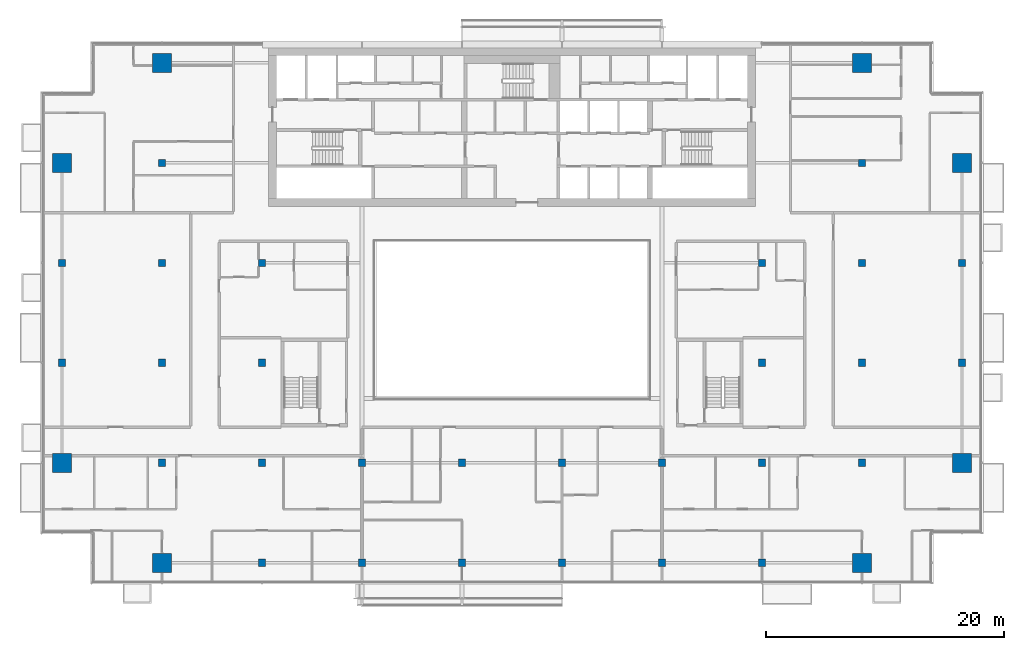
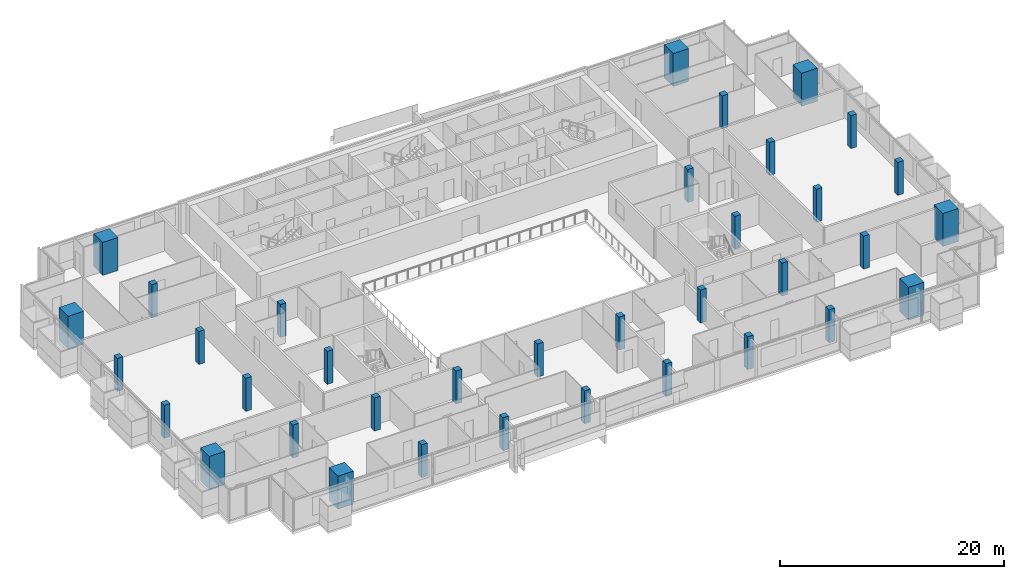
# One storey, part 1 of 27: 36 columns.
"""IFC4 building model written with IfcOpenShell, lengths in metres."""

from ifc_helpers import new_model, si_unit, direction, frame, origin, origin_2d, place, context, subcontext, project, spatial, rectangle, extrude, material, material_profile, profile_set, type_object, element, save


model = new_model("IFC4")

# Units and contexts
model_context = context("Model", 3, precision=1e-05, world=origin(), true_north=direction((0.0, 1.0)))
body_context = subcontext(model_context, "Body", "Model", "MODEL_VIEW")
ifc_project = project(units=[si_unit("LENGTHUNIT", "METRE"), si_unit("AREAUNIT", "SQUARE_METRE"), si_unit("VOLUMEUNIT", "CUBIC_METRE"), si_unit("PLANEANGLEUNIT", "RADIAN"), si_unit("MASSUNIT", "GRAM", prefix="KILO")], contexts=[model_context])

# Site, building, storey
site_placement = place(None, origin())
site = spatial("IfcSite", under=ifc_project, at=site_placement, CompositionType="ELEMENT")
building_placement = place(site_placement, origin())
building = spatial("IfcBuilding", under=site, at=building_placement, Name="Saffron Gate Tower", CompositionType="ELEMENT")
storey_placement = place(building_placement, frame((0.0, 0.0, 209.10009765625)))
storey = spatial("IfcBuildingStorey", under=building, at=storey_placement, Name="L50", CompositionType="ELEMENT", Elevation=209.10009765625)

# Columns
ifc_material_1 = material(Name="Concrete C50", Category="concrete")
ifc_material_profile_1 = material_profile(ifc_material_1, rectangle(XDim=0.60009765625, YDim=0.60009765625, at=origin_2d()))
ifc_profile_set_1 = profile_set([ifc_material_profile_1], Name="Concrete C50")
column_type_1 = type_object("IfcColumnType", Name="C2 RC 600x600 CONCRETE C50", PredefinedType="COLUMN", material=ifc_profile_set_1)
for number, where, z_axis, x_axis, name in (
    (1, (49.800048828125, 48.60009765625, 0.0), (0.0, 0.0, 1.0), (1.0, 0.0, 0.0), "C2 COLUMN X1-C"),
    (2, (49.800048828125, 57.0, 0.0), (0.0, 0.0, 1.0), (1.0, 0.0, 0.0), "C2 COLUMN X1-D"),
    (3, (58.199951171875, 40.199951171875, 0.0), (0.0, 0.0, 1.0), (1.0, 0.0, 0.0), "C2 COLUMN X2-B"),
    (4, (58.199951171875, 48.60009765625, 0.0), (0.0, 0.0, 1.0), (1.0, 0.0, 0.0), "C2 COLUMN X2-C"),
    (5, (58.199951171875, 57.0, 0.0), (0.0, 0.0, 1.0), (1.0, 0.0, 0.0), "C2 COLUMN X2-D"),
    (6, (58.199951171875, 65.39990234375, 0.0), (0.0, 0.0, 1.0), (1.0, 0.0, 0.0), "C2 COLUMN X2-E"),
    (7, (66.60009765625, 31.800048828125, 0.0), (0.0, 0.0, 1.0), (1.0, 0.0, 0.0), "C2 COLUMN X3-A"),
    (8, (66.60009765625, 40.199951171875, 0.0), (0.0, 0.0, 1.0), (1.0, 0.0, 0.0), "C2 COLUMN X3-B"),
    (9, (66.60009765625, 48.60009765625, 0.0), (0.0, 0.0, 1.0), (1.0, 0.0, 0.0), "C2 COLUMN X3-C"),
    (10, (66.60009765625, 57.0, 0.0), (0.0, 0.0, 1.0), (1.0, 0.0, 0.0), "C2 COLUMN X3-D"),
    (11, (75.0, 31.800048828125, 0.0), (0.0, 0.0, 1.0), (1.0, 0.0, 0.0), "C2 COLUMN X4-A"),
    (12, (75.0, 40.199951171875, 0.0), (0.0, 0.0, 1.0), (1.0, 0.0, 0.0), "C2 COLUMN X4-B"),
    (13, (83.39990234375, 31.800048828125, 0.0), (0.0, 0.0, 1.0), (1.0, 0.0, 0.0), "C2 COLUMN X5-A"),
    (14, (83.39990234375, 40.199951171875, 0.0), (0.0, 0.0, 1.0), (1.0, 0.0, 0.0), "C2 COLUMN X5-B"),
    (15, (91.800048828125, 31.800048828125, 0.0), (0.0, 0.0, 1.0), (1.0, 0.0, 0.0), "C2 COLUMN X6-A"),
    (16, (91.800048828125, 40.199951171875, 0.0), (0.0, 0.0, 1.0), (1.0, 0.0, 0.0), "C2 COLUMN X6-B"),
    (17, (100.199951171875, 31.800048828125, 0.0), (0.0, 0.0, 1.0), (1.0, 0.0, 0.0), "C2 COLUMN X7-A"),
    (18, (100.199951171875, 40.199951171875, 0.0), (0.0, 0.0, 1.0), (1.0, 0.0, 0.0), "C2 COLUMN X7-B"),
    (19, (108.60009765625, 31.800048828125, 0.0), (0.0, 0.0, 1.0), (1.0, 0.0, 0.0), "C2 COLUMN X8-A"),
    (20, (108.60009765625, 40.199951171875, 0.0), (0.0, 0.0, 1.0), (1.0, 0.0, 0.0), "C2 COLUMN X8-B"),
    (21, (108.60009765625, 48.60009765625, 0.0), (0.0, 0.0, 1.0), (1.0, 0.0, 0.0), "C2 COLUMN X8-C"),
    (22, (108.60009765625, 57.0, 0.0), (0.0, 0.0, 1.0), (1.0, 0.0, 0.0), "C2 COLUMN X8-D"),
    (23, (117.0, 40.199951171875, 0.0), (0.0, 0.0, 1.0), (1.0, 0.0, 0.0), "C2 COLUMN X9-B"),
    (24, (117.0, 48.60009765625, 0.0), (0.0, 0.0, 1.0), (1.0, 0.0, 0.0), "C2 COLUMN X9-C"),
    (25, (117.0, 57.0, 0.0), (0.0, 0.0, 1.0), (1.0, 0.0, 0.0), "C2 COLUMN X9-D"),
    (26, (117.0, 65.39990234375, 0.0), (0.0, 0.0, 1.0), (1.0, 0.0, 0.0), "C2 COLUMN X9-E"),
    (27, (125.39990234375, 48.60009765625, 0.0), (0.0, 0.0, 1.0), (1.0, 0.0, 0.0), "C2 COLUMN X10-C"),
    (28, (125.39990234375, 57.0, 0.0), (0.0, 0.0, 1.0), (1.0, 0.0, 0.0), "C2 COLUMN X10-D"),
):
    element("IfcColumn", number, at=place(storey_placement, frame(where, z_axis=z_axis, x_axis=x_axis)), inside=storey, type_object=column_type_1, Name=name, PredefinedType="COLUMN", context=body_context, shape_type="SweptSolid", body=[
        extrude(rectangle(XDim=0.60009765625, YDim=0.60009765625, at=origin_2d()), origin(), (0.0, 0.0, 1.0), 3.599853515625),
    ])
ifc_material_2 = material(Name="Concrete C70", Category="concrete")
ifc_material_profile_2 = material_profile(ifc_material_2, rectangle(XDim=1.60009765625, YDim=1.60009765625, at=origin_2d()))
ifc_profile_set_2 = profile_set([ifc_material_profile_2], Name="Concrete C70")
column_type_2 = type_object("IfcColumnType", Name="MC1 RC 1600x1600 CONCRETE C70", PredefinedType="COLUMN", material=ifc_profile_set_2)
for number, where, z_axis, x_axis, name in (
    (29, (49.800048828125, 40.199951171875, 0.0), (0.0, 0.0, 1.0), (1.0, 0.0, 0.0), "MC1 MEGA COLUMN X1-B"),
    (30, (49.800048828125, 65.39990234375, 0.0), (0.0, 0.0, 1.0), (1.0, 0.0, 0.0), "MC1 MEGA COLUMN X1-E"),
    (31, (58.199951171875, 31.800048828125, 0.0), (0.0, 0.0, 1.0), (1.0, 0.0, 0.0), "MC1 MEGA COLUMN X2-A"),
    (32, (58.199951171875, 73.800048828125, 0.0), (0.0, 0.0, 1.0), (1.0, 0.0, 0.0), "MC1 MEGA COLUMN X2-F"),
    (33, (117.0, 31.800048828125, 0.0), (0.0, 0.0, 1.0), (1.0, 0.0, 0.0), "MC1 MEGA COLUMN X9-A"),
    (34, (117.0, 73.800048828125, 0.0), (0.0, 0.0, 1.0), (1.0, 0.0, 0.0), "MC1 MEGA COLUMN X9-F"),
    (35, (125.39990234375, 40.199951171875, 0.0), (0.0, 0.0, 1.0), (1.0, 0.0, 0.0), "MC1 MEGA COLUMN X10-B"),
    (36, (125.39990234375, 65.39990234375, 0.0), (0.0, 0.0, 1.0), (1.0, 0.0, 0.0), "MC1 MEGA COLUMN X10-E"),
):
    element("IfcColumn", number, at=place(storey_placement, frame(where, z_axis=z_axis, x_axis=x_axis)), inside=storey, type_object=column_type_2, Name=name, PredefinedType="COLUMN", context=body_context, shape_type="SweptSolid", body=[
        extrude(rectangle(XDim=1.60009765625, YDim=1.60009765625, at=origin_2d()), origin(), (0.0, 0.0, 1.0), 3.599853515625),
    ])

save(model, "model.ifc")
